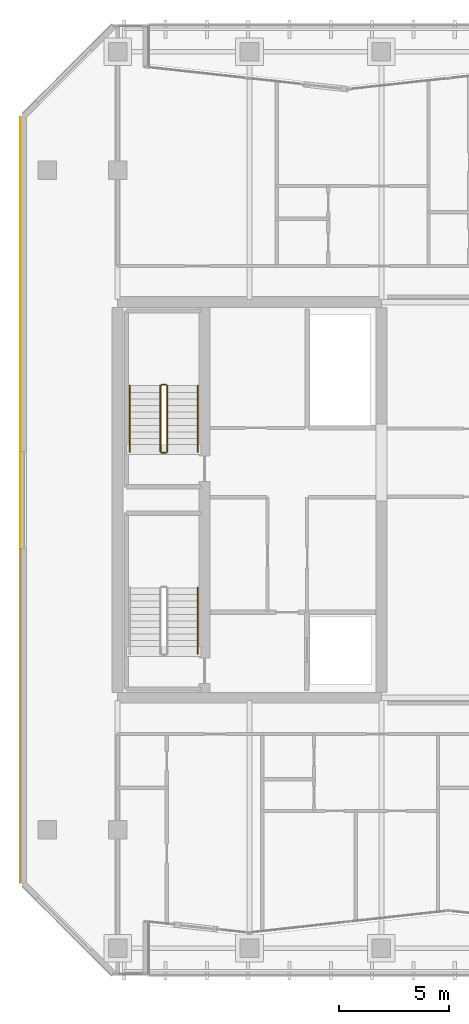
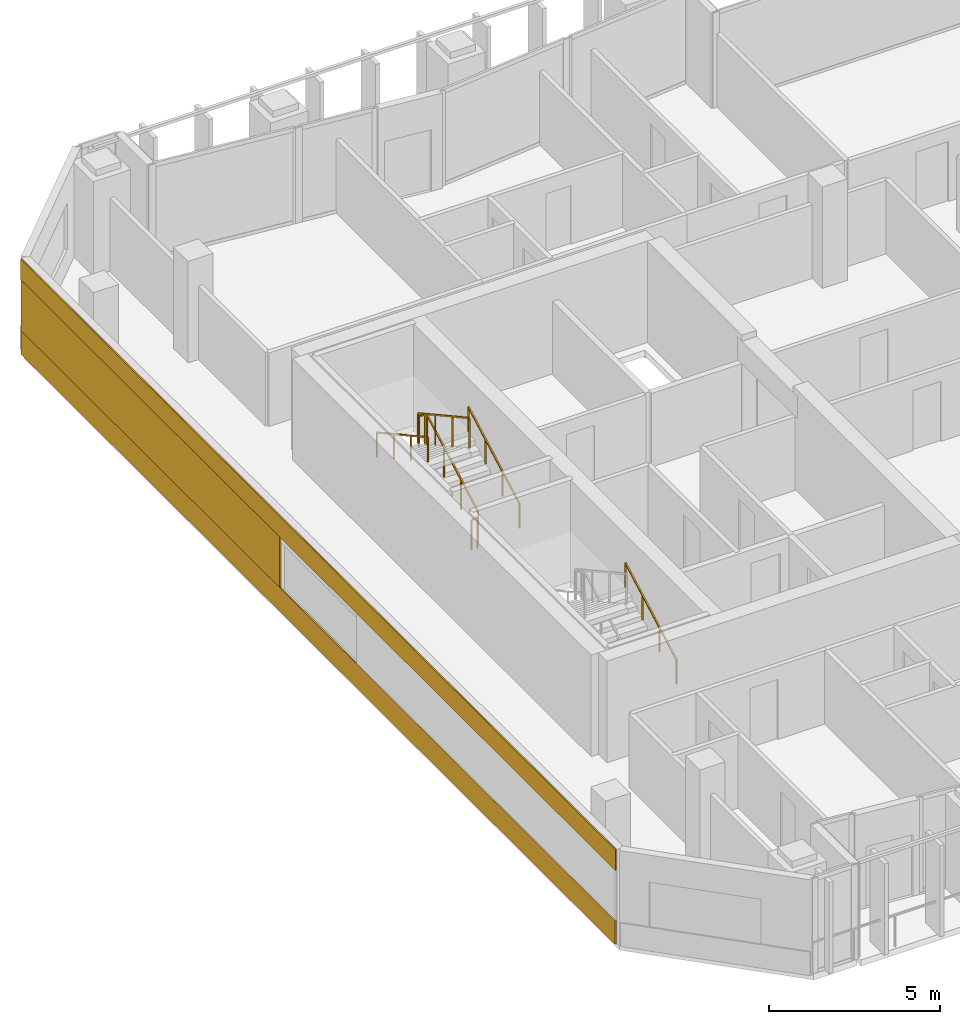
# One storey, part 25 of 28: 7 railings, 3 coverings.
"""IFC4 building model written with IfcOpenShell, lengths in metres."""

from ifc_helpers import new_model, si_unit, direction, frame, origin, origin_2d, place, context, subcontext, project, spatial, rectangle, extrude, material, layer, layer_set, type_object, element, save


model = new_model("IFC4")

# Units and contexts
model_context = context("Model", 3, precision=1e-05, world=origin(), true_north=direction((0.0, 1.0)))
body_context = subcontext(model_context, "Body", "Model", "MODEL_VIEW")
ifc_project = project(units=[si_unit("LENGTHUNIT", "METRE"), si_unit("AREAUNIT", "SQUARE_METRE"), si_unit("VOLUMEUNIT", "CUBIC_METRE"), si_unit("PLANEANGLEUNIT", "RADIAN"), si_unit("MASSUNIT", "GRAM", prefix="KILO")], contexts=[model_context])

# Site, building, storey
site_placement = place(None, origin())
site = spatial("IfcSite", under=ifc_project, at=site_placement, CompositionType="ELEMENT")
building_placement = place(site_placement, origin())
building = spatial("IfcBuilding", under=site, at=building_placement, Name="Tanjung Sevakor Pilgrim Tower", CompositionType="ELEMENT")
storey_placement = place(building_placement, frame((0.0, 0.0, 158.39990234375)))
storey = spatial("IfcBuildingStorey", under=building, at=storey_placement, Name="L44", CompositionType="ELEMENT", Elevation=158.39990234375)

# Coverings
ifc_material_1 = material(Name="Reconstructed Limestone Cladding", Category="masonry")
ifc_layer = layer(ifc_material_1, 0.044921875)
ifc_layer_set = layer_set([ifc_layer], Name="COV-CLAD-LIMESTONE")
covering_type = type_object("IfcCoveringType", Name="COV-CLAD-LIMESTONE", PredefinedType="CLADDING", material=ifc_layer_set)
covering_1_placement = place(storey_placement, frame((19.577392578125, 33.60009765625, 0.01025390625), z_axis=(0.0, 0.0, 1.0), x_axis=(0.0, -1.0, 0.0)))
element("IfcCovering", 1, at=covering_1_placement, inside=storey, type_object=covering_type, Name="L44 Warm Limestone Sill Spandrel EW-L44-MAIN-35-1", PredefinedType="CLADDING", context=body_context, shape_type="SweptSolid", body=[
    extrude(rectangle(XDim=34.81640625, YDim=0.044921875, at=origin_2d()), origin(), (0.0, 0.0, 1.0), 0.840087890625),
])
covering_2_placement = place(storey_placement, frame((19.577392578125, 33.60009765625, 2.66015625), z_axis=(0.0, 0.0, 1.0), x_axis=(0.0, -1.0, 0.0)))
element("IfcCovering", 2, at=covering_2_placement, inside=storey, type_object=covering_type, Name="L44 Warm Limestone Cornice Spandrel EW-L44-MAIN-35", PredefinedType="CLADDING", context=body_context, shape_type="SweptSolid", body=[
    extrude(rectangle(XDim=34.8564453125, YDim=0.044921875, at=origin_2d()), origin(), (0.0, 0.0, 1.0), 0.739990234375),
])
covering_3_placement = place(storey_placement, frame((19.577392578125, 43.42919921875, 0.85009765625), z_axis=(0.0, 0.0, 1.0), x_axis=(0.0, -1.0, 0.0)))
element("IfcCovering", 3, at=covering_3_placement, inside=storey, type_object=covering_type, Name="L44 Warm Limestone Pier Panel EW-L44-MAIN-35-1", PredefinedType="CLADDING", context=body_context, shape_type="SweptSolid", body=[
    extrude(rectangle(XDim=15.158203125, YDim=0.044921875, at=origin_2d()), origin(), (0.0, 0.0, 1.0), 1.81005859375),
])

# Railings
ifc_material_2 = material(Name="Steel S355J2", Category="steel")
railing_type_1 = type_object("IfcRailingType", Name="RL-STAIR-GUARD", PredefinedType="GUARDRAIL", material=ifc_material_2)
railing_1_placement = place(storey_placement, frame((26.25, 35.800048828125, 0.1650390625)))
element("IfcRailing", 4, at=railing_1_placement, inside=storey, type_object=railing_type_1, Name="L44 TS-W2 stair guard 1", PredefinedType="GUARDRAIL", context=body_context, shape_type="SweptSolid", body=[
    extrude(rectangle(XDim=0.0479, YDim=0.0479), frame((0.0, 0.0, 1.076171875), z_axis=(0.0, 0.876197842262, 0.481951596342), x_axis=(-1.0, 0.0, 0.0)), (0.0, 0.0, 1.0), 3.423828125),
    extrude(rectangle(XDim=0.042, YDim=0.042), origin(), (0.0, 0.0, 1.0), 1.052001953125),
    extrude(rectangle(XDim=0.042, YDim=0.042), frame((0.0, 1.0, 0.550048828125)), (0.0, 0.0, 1.0), 1.052001953125),
    extrude(rectangle(XDim=0.042, YDim=0.042), frame((0.0, 2.0, 1.10009765625)), (0.0, 0.0, 1.0), 1.052001953125),
    extrude(rectangle(XDim=0.042, YDim=0.042), frame((0.0, 3.0, 1.650146484375)), (0.0, 0.0, 1.0), 1.052001953125),
])
railing_2_placement = place(storey_placement, frame((26.199951171875, 38.85009765625, 1.815185546875)))
element("IfcRailing", 5, at=railing_2_placement, inside=storey, type_object=railing_type_1, Name="L44 TS-W2 stair guard 2", PredefinedType="GUARDRAIL", context=body_context, shape_type="SweptSolid", body=[
    extrude(rectangle(XDim=0.0479, YDim=0.0479), frame((0.0, 0.0, 1.076171875), z_axis=(-1.0, 0.0, 0.0), x_axis=(0.0, -1.0, 0.0)), (0.0, 0.0, 1.0), 0.199951171875),
    extrude(rectangle(XDim=0.042, YDim=0.042), origin(), (0.0, 0.0, 1.0), 1.052001953125),
    extrude(rectangle(XDim=0.042, YDim=0.042), frame((-0.199951171875, 0.0, 0.0)), (0.0, 0.0, 1.0), 1.052001953125),
])
railing_3_placement = place(storey_placement, frame((25.949951171875, 38.800048828125, 1.97998046875)))
element("IfcRailing", 6, at=railing_3_placement, inside=storey, type_object=railing_type_1, Name="L44 TS-W2 stair guard 3", PredefinedType="GUARDRAIL", context=body_context, shape_type="SweptSolid", body=[
    extrude(rectangle(XDim=0.0479, YDim=0.0479), frame((0.0, 0.0, 1.076171875), z_axis=(0.0, -0.876197842262, 0.481951596342), x_axis=(1.0, 0.0, 0.0)), (0.0, 0.0, 1.0), 3.423828125),
    extrude(rectangle(XDim=0.042, YDim=0.042), origin(), (0.0, 0.0, 1.0), 1.052001953125),
    extrude(rectangle(XDim=0.042, YDim=0.042), frame((0.0, -1.0, 0.550048828125)), (0.0, 0.0, 1.0), 1.052001953125),
    extrude(rectangle(XDim=0.042, YDim=0.042), frame((0.0, -2.0, 1.10009765625)), (0.0, 0.0, 1.0), 1.052001953125),
    extrude(rectangle(XDim=0.042, YDim=0.042), frame((0.0, -3.0, 1.650146484375)), (0.0, 0.0, 1.0), 1.052001953125),
])
railing_4_placement = place(storey_placement, frame((26.199951171875, 35.75, 0.0)))
element("IfcRailing", 7, at=railing_4_placement, inside=storey, type_object=railing_type_1, Name="L44 TS-W2 stair guard 4", PredefinedType="GUARDRAIL", context=body_context, shape_type="SweptSolid", body=[
    extrude(rectangle(XDim=0.0479, YDim=0.0479), frame((0.0, 0.0, 1.076171875), z_axis=(-1.0, 0.0, 0.0), x_axis=(0.0, -1.0, 0.0)), (0.0, 0.0, 1.0), 0.199951171875),
    extrude(rectangle(XDim=0.042, YDim=0.042), origin(), (0.0, 0.0, 1.0), 1.052001953125),
    extrude(rectangle(XDim=0.042, YDim=0.042), frame((-0.199951171875, 0.0, 0.0)), (0.0, 0.0, 1.0), 1.052001953125),
])
ifc_material_3 = material(Name="Steel S355J2", Category="steel")
railing_type_2 = type_object("IfcRailingType", Name="RL-STAIR-HAND", PredefinedType="HANDRAIL", material=ifc_material_3)
for number, where, name in (
    (8, (27.64990234375, 26.60009765625, 0.1650390625), "L44 TS-W1 stair handrail 1"),
    (9, (27.64990234375, 35.800048828125, 0.1650390625), "L44 TS-W2 stair handrail 1"),
):
    element("IfcRailing", number, at=place(storey_placement, frame(where)), inside=storey, type_object=railing_type_2, Name=name, PredefinedType="HANDRAIL", context=body_context, shape_type="SweptSolid", body=[
        extrude(rectangle(XDim=0.0479, YDim=0.0479), frame((0.0, 0.0, 0.8759765625), z_axis=(0.0, 0.876197842262, 0.481951596342), x_axis=(-1.0, 0.0, 0.0)), (0.0, 0.0, 1.0), 3.423828125),
        extrude(rectangle(XDim=0.042, YDim=0.042), origin(), (0.0, 0.0, 1.0), 0.851806640625),
        extrude(rectangle(XDim=0.042, YDim=0.042), frame((0.0, 1.0, 0.550048828125)), (0.0, 0.0, 1.0), 0.851806640625),
        extrude(rectangle(XDim=0.042, YDim=0.042), frame((0.0, 2.0, 1.10009765625)), (0.0, 0.0, 1.0), 0.851806640625),
        extrude(rectangle(XDim=0.042, YDim=0.042), frame((0.0, 3.0, 1.650146484375)), (0.0, 0.0, 1.0), 0.851806640625),
    ])
railing_5_placement = place(storey_placement, frame((24.550048828125, 38.800048828125, 1.97998046875)))
element("IfcRailing", 10, at=railing_5_placement, inside=storey, type_object=railing_type_2, Name="L44 TS-W2 stair handrail 2", PredefinedType="HANDRAIL", context=body_context, shape_type="SweptSolid", body=[
    extrude(rectangle(XDim=0.0479, YDim=0.0479), frame((0.0, 0.0, 0.8759765625), z_axis=(0.0, -0.876197842262, 0.481951596342), x_axis=(1.0, 0.0, 0.0)), (0.0, 0.0, 1.0), 3.423828125),
    extrude(rectangle(XDim=0.042, YDim=0.042), origin(), (0.0, 0.0, 1.0), 0.851806640625),
    extrude(rectangle(XDim=0.042, YDim=0.042), frame((0.0, -1.0, 0.550048828125)), (0.0, 0.0, 1.0), 0.851806640625),
    extrude(rectangle(XDim=0.042, YDim=0.042), frame((0.0, -2.0, 1.10009765625)), (0.0, 0.0, 1.0), 0.851806640625),
    extrude(rectangle(XDim=0.042, YDim=0.042), frame((0.0, -3.0, 1.650146484375)), (0.0, 0.0, 1.0), 0.851806640625),
])

save(model, "model.ifc")
